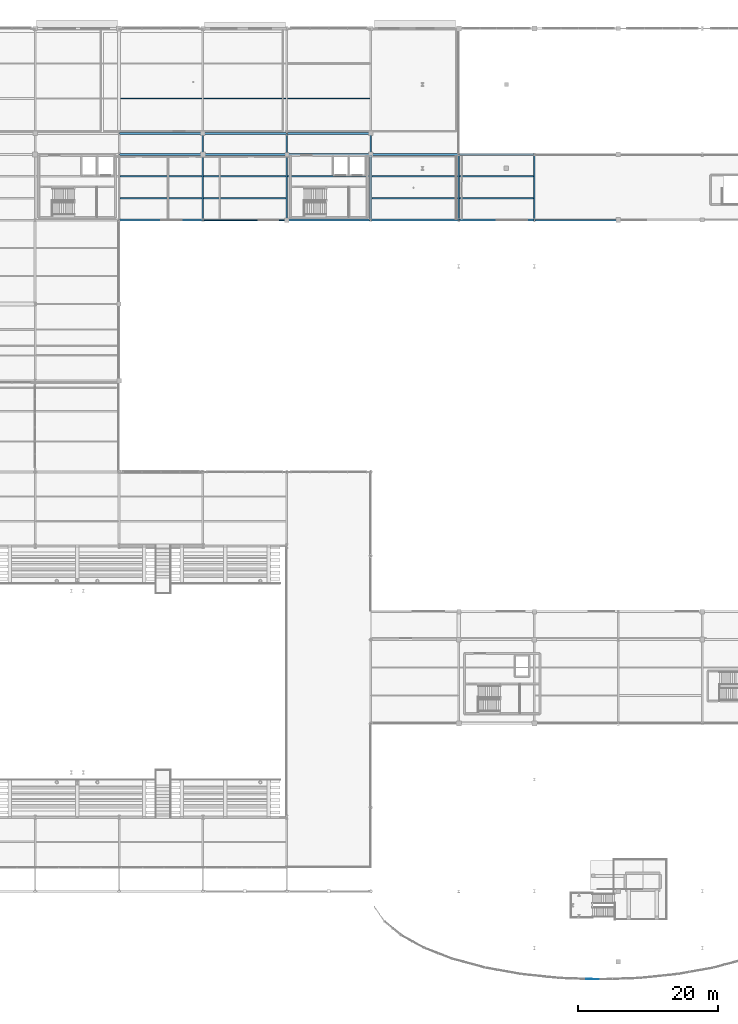
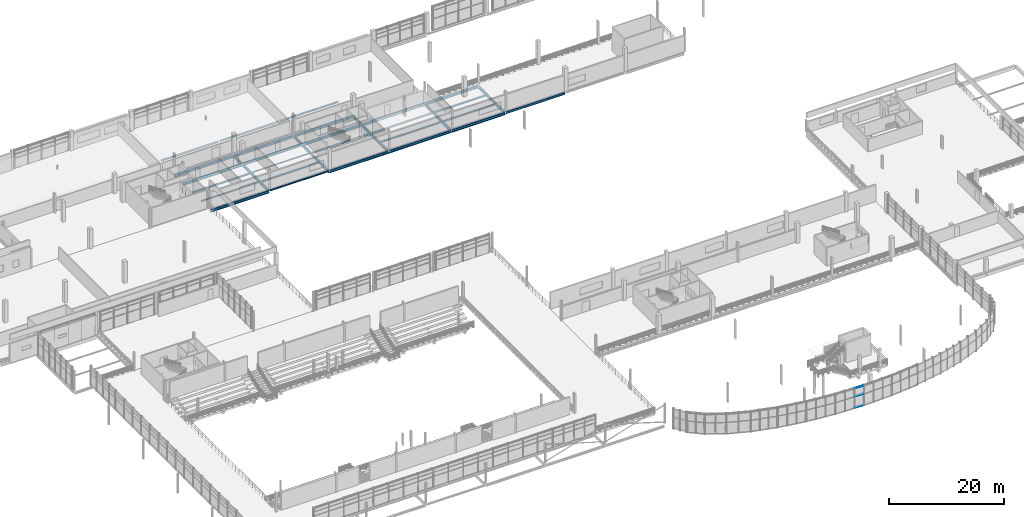
# One storey, part 42 of 89: 34 beams, 3 members, 1 element without a shape of its own.
"""IFC4 building model written with IfcOpenShell, lengths in metres."""

from ifc_helpers import new_model, si_unit, direction, frame, origin, origin_2d, place, context, subcontext, project, spatial, rectangle, i_section, extrude, material, material_profile, profile_set, type_object, element, aggregate, save


model = new_model("IFC4")

# Units and contexts
model_context = context("Model", 3, precision=1e-05, world=origin(), true_north=direction((0.0, 1.0)))
body_context = subcontext(model_context, "Body", "Model", "MODEL_VIEW")
ifc_project = project(units=[si_unit("LENGTHUNIT", "METRE"), si_unit("AREAUNIT", "SQUARE_METRE"), si_unit("VOLUMEUNIT", "CUBIC_METRE"), si_unit("PLANEANGLEUNIT", "RADIAN"), si_unit("MASSUNIT", "GRAM", prefix="KILO"), si_unit("THERMODYNAMICTEMPERATUREUNIT", "KELVIN"), si_unit("POWERUNIT", "WATT")], contexts=[model_context])

# Site, building, storey
site_placement = place(None, origin())
site = spatial("IfcSite", under=ifc_project, at=site_placement, CompositionType="ELEMENT")
building_placement = place(site_placement, origin())
building = spatial("IfcBuilding", under=site, at=building_placement, Name="Solmara Park Aquatics Centre", CompositionType="ELEMENT")
storey_placement = place(building_placement, frame((0.0, 0.0, 5.39990234375)))
storey = spatial("IfcBuildingStorey", under=building, at=storey_placement, Name="L01", CompositionType="ELEMENT", Elevation=5.39990234375)

# Curtain wall, members
ifc_material_1 = material(Name="Anodised Aluminium Curtain Wall Framing", Category="aluminium")
curtain_wall_type = type_object("IfcCurtainWallType", Name="ARC-CW-SYS04", PredefinedType="USERDEFINED", material=ifc_material_1)
curtain_wall_placement = place(storey_placement, origin())
curtain_wall = element("IfcCurtainWall", 1, at=curtain_wall_placement, inside=storey, type_object=curtain_wall_type, Name="Curtain Wall CW-044", ObjectType="CURTAIN WALL", PredefinedType="USERDEFINED")
ifc_material_2 = material(Name="Anodised Aluminium Alloy 6063-T6", Category="aluminium")
ifc_material_profile_1 = material_profile(ifc_material_2, rectangle(XDim=0.06005859375, YDim=0.1201171875, at=origin_2d()), Name="ALU TRANSOM 60x120")
ifc_profile_set_1 = profile_set([ifc_material_profile_1], Name="Anodised Aluminium Alloy 6063-T6")
member_type = type_object("IfcMemberType", Name="ARC-CWT-60x120", PredefinedType="USERDEFINED", material=ifc_profile_set_1)
member_1_placement = place(storey_placement, frame((127.413818359375, 0.063720703125, 0.0400390625), z_axis=(0.999430718823, -0.03373778701, 0.0), x_axis=(0.03373778701, 0.999430718823, 0.0)))
member_1 = element("IfcMember", 2, at=member_1_placement, type_object=member_type, Name="CW-044 transom 7", ObjectType="TRANSOM", PredefinedType="USERDEFINED", context=body_context, shape_type="SweptSolid", body=[
    extrude(rectangle(XDim=0.06005859375, YDim=0.1201171875, at=origin_2d()), origin(), (0.0, 0.0, 1.0), 1.787353515625),
])
member_2_placement = place(storey_placement, frame((127.413818359375, 0.063720703125, 2.43603515625), z_axis=(0.999430718823, -0.03373778701, 0.0), x_axis=(0.03373778701, 0.999430718823, 0.0)))
member_2 = element("IfcMember", 3, at=member_2_placement, type_object=member_type, Name="CW-044 transom 8", ObjectType="TRANSOM", PredefinedType="USERDEFINED", context=body_context, shape_type="SweptSolid", body=[
    extrude(rectangle(XDim=0.06005859375, YDim=0.1201171875, at=origin_2d()), origin(), (0.0, 0.0, 1.0), 1.787353515625),
])
member_3_placement = place(storey_placement, frame((127.413818359375, 0.063720703125, 4.16015625), z_axis=(0.999430718823, -0.03373778701, 0.0), x_axis=(0.03373778701, 0.999430718823, 0.0)))
member_3 = element("IfcMember", 4, at=member_3_placement, type_object=member_type, Name="CW-044 transom 9", ObjectType="TRANSOM", PredefinedType="USERDEFINED", context=body_context, shape_type="SweptSolid", body=[
    extrude(rectangle(XDim=0.06005859375, YDim=0.1201171875, at=origin_2d()), origin(), (0.0, 0.0, 1.0), 1.787353515625),
])
aggregate(curtain_wall, [member_1, member_2, member_3])

# Beams
ifc_material_3 = material(Name="Structural Steel S355", Category="steel")
ifc_material_profile_2 = material_profile(ifc_material_3, i_section(OverallWidth=0.300048828125, OverallDepth=0.489990234375, WebThickness=0.011962890625, FlangeThickness=0.02294921875, FilletRadius=0.027099609375, at=origin_2d()), Name="HEA 500")
ifc_profile_set_2 = profile_set([ifc_material_profile_2], Name="Structural Steel S355")
beam_type_1 = type_object("IfcBeamType", Name="STR-BM-HEA500", PredefinedType="BEAM", material=ifc_profile_set_2)
beam_1_placement = place(storey_placement, frame((72.679931640625, 118.0, -0.56494140625), z_axis=(1.0, 0.0, 0.0), x_axis=(0.0, 1.0, 0.0)))
element("IfcBeam", 5, at=beam_1_placement, inside=storey, type_object=beam_type_1, Name="Girder BM-L01-0300", PredefinedType="BEAM", context=body_context, shape_type="SweptSolid", body=[
    extrude(i_section(OverallWidth=0.300048828125, OverallDepth=0.489990234375, WebThickness=0.011962890625, FlangeThickness=0.02294921875, FilletRadius=0.027099609375, at=origin_2d()), origin(), (0.0, 0.0, 1.0), 11.840087890625),
])
ifc_material_profile_3 = material_profile(ifc_material_3, i_section(OverallWidth=0.300048828125, OverallDepth=0.5400390625, WebThickness=0.012451171875, FlangeThickness=0.02392578125, FilletRadius=0.027099609375, at=origin_2d()), Name="HEA 550")
ifc_profile_set_3 = profile_set([ifc_material_profile_3], Name="Structural Steel S355")
beam_type_2 = type_object("IfcBeamType", Name="STR-BM-HEA550", PredefinedType="BEAM", material=ifc_profile_set_3)
beam_2_placement = place(storey_placement, frame((96.679931640625, 108.60009765625, -0.58984375), z_axis=(1.0, 0.0, 0.0), x_axis=(0.0, 1.0, 0.0)))
element("IfcBeam", 6, at=beam_2_placement, inside=storey, type_object=beam_type_2, Name="Girder BM-L01-0294", PredefinedType="BEAM", context=body_context, shape_type="SweptSolid", body=[
    extrude(i_section(OverallWidth=0.300048828125, OverallDepth=0.5400390625, WebThickness=0.012451171875, FlangeThickness=0.02392578125, FilletRadius=0.027099609375, at=origin_2d()), origin(), (0.0, 0.0, 1.0), 12.440185546875),
])
ifc_material_profile_4 = material_profile(ifc_material_3, i_section(OverallWidth=0.300048828125, OverallDepth=0.590087890625, WebThickness=0.012939453125, FlangeThickness=0.02490234375, FilletRadius=0.027099609375, at=origin_2d()), Name="HEA 600")
ifc_profile_set_4 = profile_set([ifc_material_profile_4], Name="Structural Steel S355")
beam_type_3 = type_object("IfcBeamType", Name="STR-BM-HEA600", PredefinedType="BEAM", material=ifc_profile_set_4)
beam_3_placement = place(storey_placement, frame((96.60009765625, 108.679931640625, -0.614990234375), z_axis=(0.0, 1.0, 0.0), x_axis=(-1.0, 0.0, 0.0)))
element("IfcBeam", 7, at=beam_3_placement, inside=storey, type_object=beam_type_3, Name="Girder BM-L01-0336", PredefinedType="BEAM", context=body_context, shape_type="SweptSolid", body=[
    extrude(i_section(OverallWidth=0.300048828125, OverallDepth=0.590087890625, WebThickness=0.012939453125, FlangeThickness=0.02490234375, FilletRadius=0.027099609375, at=origin_2d()), origin(), (0.0, 0.0, 1.0), 9.239990234375),
])
ifc_material_profile_5 = material_profile(ifc_material_3, i_section(OverallWidth=0.300048828125, OverallDepth=0.550048828125, WebThickness=0.014892578125, FlangeThickness=0.029052734375, FilletRadius=0.027099609375, at=origin_2d()), Name="HEB 550")
ifc_profile_set_5 = profile_set([ifc_material_profile_5], Name="Structural Steel S355")
beam_type_4 = type_object("IfcBeamType", Name="STR-BM-HEB550", PredefinedType="BEAM", material=ifc_profile_set_5)
for number, where, z_axis, x_axis, name in (
    (8, (60.679931640625, 108.60009765625, -0.594970703125), (1.0, 0.0, 0.0), (0.0, 1.0, 0.0), "Girder BM-L01-0291"),
    (9, (84.679931640625, 108.60009765625, -0.594970703125), (1.0, 0.0, 0.0), (0.0, 1.0, 0.0), "Girder BM-L01-0293"),
):
    element("IfcBeam", number, at=place(storey_placement, frame(where, z_axis=z_axis, x_axis=x_axis)), inside=storey, type_object=beam_type_4, Name=name, PredefinedType="BEAM", context=body_context, shape_type="SweptSolid", body=[
        extrude(i_section(OverallWidth=0.300048828125, OverallDepth=0.550048828125, WebThickness=0.014892578125, FlangeThickness=0.029052734375, FilletRadius=0.027099609375, at=origin_2d()), origin(), (0.0, 0.0, 1.0), 11.840087890625),
    ])
beam_4_placement = place(storey_placement, frame((109.280029296875, 108.60009765625, -0.594970703125), z_axis=(1.0, 0.0, 0.0), x_axis=(0.0, 1.0, 0.0)))
element("IfcBeam", 10, at=beam_4_placement, inside=storey, type_object=beam_type_4, Name="Girder BM-L01-0295", PredefinedType="BEAM", context=body_context, shape_type="SweptSolid", body=[
    extrude(i_section(OverallWidth=0.300048828125, OverallDepth=0.550048828125, WebThickness=0.014892578125, FlangeThickness=0.029052734375, FilletRadius=0.027099609375, at=origin_2d()), origin(), (0.0, 0.0, 1.0), 10.639892578125),
])
for number, where, z_axis, x_axis, name in (
    (11, (60.679931640625, 118.0, -0.594970703125), (1.0, 0.0, 0.0), (0.0, 1.0, 0.0), "Girder BM-L01-0299"),
    (12, (84.679931640625, 118.0, -0.594970703125), (1.0, 0.0, 0.0), (0.0, 1.0, 0.0), "Girder BM-L01-0301"),
):
    element("IfcBeam", number, at=place(storey_placement, frame(where, z_axis=z_axis, x_axis=x_axis)), inside=storey, type_object=beam_type_4, Name=name, PredefinedType="BEAM", context=body_context, shape_type="SweptSolid", body=[
        extrude(i_section(OverallWidth=0.300048828125, OverallDepth=0.550048828125, WebThickness=0.014892578125, FlangeThickness=0.029052734375, FilletRadius=0.027099609375, at=origin_2d()), origin(), (0.0, 0.0, 1.0), 11.840087890625),
    ])
beam_5_placement = place(storey_placement, frame((96.679931640625, 118.0, -0.594970703125), z_axis=(1.0, 0.0, 0.0), x_axis=(0.0, 1.0, 0.0)))
element("IfcBeam", 13, at=beam_5_placement, inside=storey, type_object=beam_type_4, Name="Girder BM-L01-0302", PredefinedType="BEAM", context=body_context, shape_type="SweptSolid", body=[
    extrude(i_section(OverallWidth=0.300048828125, OverallDepth=0.550048828125, WebThickness=0.014892578125, FlangeThickness=0.029052734375, FilletRadius=0.027099609375, at=origin_2d()), origin(), (0.0, 0.0, 1.0), 12.440185546875),
])
beam_6_placement = place(storey_placement, frame((109.280029296875, 118.0, -0.594970703125), z_axis=(1.0, 0.0, 0.0), x_axis=(0.0, 1.0, 0.0)))
element("IfcBeam", 14, at=beam_6_placement, inside=storey, type_object=beam_type_4, Name="Girder BM-L01-0303", PredefinedType="BEAM", context=body_context, shape_type="SweptSolid", body=[
    extrude(i_section(OverallWidth=0.300048828125, OverallDepth=0.550048828125, WebThickness=0.014892578125, FlangeThickness=0.029052734375, FilletRadius=0.027099609375, at=origin_2d()), origin(), (0.0, 0.0, 1.0), 10.639892578125),
])
for number, where, z_axis, x_axis, name in (
    (15, (60.679931640625, 121.0, -0.594970703125), (1.0, 0.0, 0.0), (0.0, 1.0, 0.0), "Girder BM-L01-0307"),
    (16, (72.679931640625, 121.0, -0.594970703125), (1.0, 0.0, 0.0), (0.0, 1.0, 0.0), "Girder BM-L01-0308"),
    (17, (84.679931640625, 121.0, -0.594970703125), (1.0, 0.0, 0.0), (0.0, 1.0, 0.0), "Girder BM-L01-0309"),
):
    element("IfcBeam", number, at=place(storey_placement, frame(where, z_axis=z_axis, x_axis=x_axis)), inside=storey, type_object=beam_type_4, Name=name, PredefinedType="BEAM", context=body_context, shape_type="SweptSolid", body=[
        extrude(i_section(OverallWidth=0.300048828125, OverallDepth=0.550048828125, WebThickness=0.014892578125, FlangeThickness=0.029052734375, FilletRadius=0.027099609375, at=origin_2d()), origin(), (0.0, 0.0, 1.0), 11.840087890625),
    ])
ifc_material_profile_6 = material_profile(ifc_material_3, i_section(OverallWidth=0.18994140625, OverallDepth=0.449951171875, WebThickness=0.009521484375, FlangeThickness=0.0146484375, FilletRadius=0.02099609375, at=origin_2d()), Name="IPE 450")
ifc_profile_set_6 = profile_set([ifc_material_profile_6], Name="Structural Steel S355")
beam_type_5 = type_object("IfcBeamType", Name="STR-BM-IPE450", PredefinedType="BEAM", material=ifc_profile_set_6)
beam_7_placement = place(storey_placement, frame((120.080078125, 108.60009765625, -0.544921875), z_axis=(1.0, 0.0, 0.0), x_axis=(0.0, 1.0, 0.0)))
element("IfcBeam", 18, at=beam_7_placement, inside=storey, type_object=beam_type_5, Name="Girder BM-L01-0341", PredefinedType="BEAM", context=body_context, shape_type="SweptSolid", body=[
    extrude(i_section(OverallWidth=0.18994140625, OverallDepth=0.449951171875, WebThickness=0.009521484375, FlangeThickness=0.0146484375, FilletRadius=0.02099609375, at=origin_2d()), origin(), (0.0, 0.0, 1.0), 11.83984375),
])
ifc_material_profile_7 = material_profile(ifc_material_3, i_section(OverallWidth=0.219970703125, OverallDepth=0.60009765625, WebThickness=0.011962890625, FlangeThickness=0.01904296875, FilletRadius=0.02392578125, at=origin_2d()), Name="IPE 600")
ifc_profile_set_7 = profile_set([ifc_material_profile_7], Name="Structural Steel S355")
beam_type_6 = type_object("IfcBeamType", Name="STR-BM-IPE600", PredefinedType="BEAM", material=ifc_profile_set_7)
beam_8_placement = place(storey_placement, frame((72.60009765625, 108.679931640625, -0.619873046875), z_axis=(0.0, 1.0, 0.0), x_axis=(-1.0, 0.0, 0.0)))
element("IfcBeam", 19, at=beam_8_placement, inside=storey, type_object=beam_type_6, Name="Girder BM-L01-0330", PredefinedType="BEAM", context=body_context, shape_type="SweptSolid", body=[
    extrude(i_section(OverallWidth=0.219970703125, OverallDepth=0.60009765625, WebThickness=0.011962890625, FlangeThickness=0.01904296875, FilletRadius=0.02392578125, at=origin_2d()), origin(), (0.0, 0.0, 1.0), 9.239990234375),
])
beam_9_placement = place(storey_placement, frame((72.60009765625, 118.080078125, -0.619873046875), z_axis=(0.0, 1.0, 0.0), x_axis=(-1.0, 0.0, 0.0)))
element("IfcBeam", 20, at=beam_9_placement, inside=storey, type_object=beam_type_6, Name="Girder BM-L01-0331", PredefinedType="BEAM", context=body_context, shape_type="SweptSolid", body=[
    extrude(i_section(OverallWidth=0.219970703125, OverallDepth=0.60009765625, WebThickness=0.011962890625, FlangeThickness=0.01904296875, FilletRadius=0.02392578125, at=origin_2d()), origin(), (0.0, 0.0, 1.0), 2.83984375),
])
beam_10_placement = place(storey_placement, frame((84.60009765625, 108.679931640625, -0.619873046875), z_axis=(0.0, 1.0, 0.0), x_axis=(-1.0, 0.0, 0.0)))
element("IfcBeam", 21, at=beam_10_placement, inside=storey, type_object=beam_type_6, Name="Girder BM-L01-0333", PredefinedType="BEAM", context=body_context, shape_type="SweptSolid", body=[
    extrude(i_section(OverallWidth=0.219970703125, OverallDepth=0.60009765625, WebThickness=0.011962890625, FlangeThickness=0.01904296875, FilletRadius=0.02392578125, at=origin_2d()), origin(), (0.0, 0.0, 1.0), 9.239990234375),
])
for number, where, z_axis, x_axis, name in (
    (22, (84.60009765625, 118.080078125, -0.619873046875), (0.0, 1.0, 0.0), (-1.0, 0.0, 0.0), "Girder BM-L01-0334"),
    (23, (96.60009765625, 118.080078125, -0.619873046875), (0.0, 1.0, 0.0), (-1.0, 0.0, 0.0), "Girder BM-L01-0337"),
):
    element("IfcBeam", number, at=place(storey_placement, frame(where, z_axis=z_axis, x_axis=x_axis)), inside=storey, type_object=beam_type_6, Name=name, PredefinedType="BEAM", context=body_context, shape_type="SweptSolid", body=[
        extrude(i_section(OverallWidth=0.219970703125, OverallDepth=0.60009765625, WebThickness=0.011962890625, FlangeThickness=0.01904296875, FilletRadius=0.02392578125, at=origin_2d()), origin(), (0.0, 0.0, 1.0), 2.83984375),
    ])
for number, where, z_axis, x_axis, name in (
    (24, (109.199951171875, 108.679931640625, -0.619873046875), (0.0, 1.0, 0.0), (-1.0, 0.0, 0.0), "Girder BM-L01-0339"),
    (25, (120.0, 108.679931640625, -0.619873046875), (0.0, 1.0, 0.0), (-1.0, 0.0, 0.0), "Girder BM-L01-0340"),
):
    element("IfcBeam", number, at=place(storey_placement, frame(where, z_axis=z_axis, x_axis=x_axis)), inside=storey, type_object=beam_type_6, Name=name, PredefinedType="BEAM", context=body_context, shape_type="SweptSolid", body=[
        extrude(i_section(OverallWidth=0.219970703125, OverallDepth=0.60009765625, WebThickness=0.011962890625, FlangeThickness=0.01904296875, FilletRadius=0.02392578125, at=origin_2d()), origin(), (0.0, 0.0, 1.0), 9.239990234375),
    ])
ifc_material_profile_8 = material_profile(ifc_material_3, i_section(OverallWidth=0.199951171875, OverallDepth=0.18994140625, WebThickness=0.006591796875, FlangeThickness=0.010009765625, FilletRadius=0.01806640625, at=origin_2d()), Name="HEA 200")
ifc_profile_set_8 = profile_set([ifc_material_profile_8], Name="Structural Steel S355")
beam_type_7 = type_object("IfcBeamType", Name="STR-JST-HEA200", PredefinedType="JOIST", material=ifc_profile_set_8)
beam_11_placement = place(storey_placement, frame((72.7099609375, 114.86669921875, -0.414794921875), z_axis=(1.0, 0.0, 0.0), x_axis=(0.0, 1.0, 0.0)))
element("IfcBeam", 26, at=beam_11_placement, inside=storey, type_object=beam_type_7, Name="Floor Joist JST-L01-0199", PredefinedType="JOIST", context=body_context, shape_type="SweptSolid", body=[
    extrude(i_section(OverallWidth=0.199951171875, OverallDepth=0.18994140625, WebThickness=0.006591796875, FlangeThickness=0.010009765625, FilletRadius=0.01806640625, at=origin_2d()), origin(), (0.0, 0.0, 1.0), 11.780029296875),
])
ifc_material_profile_9 = material_profile(ifc_material_3, i_section(OverallWidth=0.219970703125, OverallDepth=0.2099609375, WebThickness=0.007080078125, FlangeThickness=0.010986328125, FilletRadius=0.01806640625, at=origin_2d()), Name="HEA 220")
ifc_profile_set_9 = profile_set([ifc_material_profile_9], Name="Structural Steel S355")
beam_type_8 = type_object("IfcBeamType", Name="STR-JST-HEA220", PredefinedType="JOIST", material=ifc_profile_set_9)
beam_12_placement = place(storey_placement, frame((60.7099609375, 111.7333984375, -0.4248046875), z_axis=(1.0, 0.0, 0.0), x_axis=(0.0, 1.0, 0.0)))
element("IfcBeam", 27, at=beam_12_placement, inside=storey, type_object=beam_type_8, Name="Floor Joist JST-L01-0194", PredefinedType="JOIST", context=body_context, shape_type="SweptSolid", body=[
    extrude(i_section(OverallWidth=0.219970703125, OverallDepth=0.2099609375, WebThickness=0.007080078125, FlangeThickness=0.010986328125, FilletRadius=0.01806640625, at=origin_2d()), origin(), (0.0, 0.0, 1.0), 11.780029296875),
])
ifc_material_profile_10 = material_profile(ifc_material_3, i_section(OverallWidth=0.169921875, OverallDepth=0.360107421875, WebThickness=0.008056640625, FlangeThickness=0.0126953125, FilletRadius=0.01806640625, at=origin_2d()), Name="IPE 360")
ifc_profile_set_10 = profile_set([ifc_material_profile_10], Name="Structural Steel S355")
beam_type_9 = type_object("IfcBeamType", Name="STR-JST-IPE360", PredefinedType="JOIST", material=ifc_profile_set_10)
beam_13_placement = place(storey_placement, frame((60.7099609375, 114.86669921875, -0.5), z_axis=(1.0, 0.0, 0.0), x_axis=(0.0, 1.0, 0.0)))
element("IfcBeam", 28, at=beam_13_placement, inside=storey, type_object=beam_type_9, Name="Floor Joist JST-L01-0195", PredefinedType="JOIST", context=body_context, shape_type="SweptSolid", body=[
    extrude(i_section(OverallWidth=0.169921875, OverallDepth=0.360107421875, WebThickness=0.008056640625, FlangeThickness=0.0126953125, FilletRadius=0.01806640625, at=origin_2d()), origin(), (0.0, 0.0, 1.0), 11.780029296875),
])
beam_14_placement = place(storey_placement, frame((60.824951171875, 126.0, -0.5), z_axis=(1.0, 0.0, 0.0), x_axis=(0.0, 1.0, 0.0)))
element("IfcBeam", 29, at=beam_14_placement, inside=storey, type_object=beam_type_9, Name="Floor Joist JST-L01-0196", PredefinedType="JOIST", context=body_context, shape_type="SweptSolid", body=[
    extrude(i_section(OverallWidth=0.169921875, OverallDepth=0.360107421875, WebThickness=0.008056640625, FlangeThickness=0.0126953125, FilletRadius=0.01806640625, at=origin_2d()), origin(), (0.0, 0.0, 1.0), 11.6650390625),
])
for number, where, z_axis, x_axis, name in (
    (30, (72.7099609375, 111.7333984375, -0.5), (1.0, 0.0, 0.0), (0.0, 1.0, 0.0), "Floor Joist JST-L01-0198"),
    (31, (72.7099609375, 126.0, -0.5), (1.0, 0.0, 0.0), (0.0, 1.0, 0.0), "Floor Joist JST-L01-0200"),
):
    element("IfcBeam", number, at=place(storey_placement, frame(where, z_axis=z_axis, x_axis=x_axis)), inside=storey, type_object=beam_type_9, Name=name, PredefinedType="JOIST", context=body_context, shape_type="SweptSolid", body=[
        extrude(i_section(OverallWidth=0.169921875, OverallDepth=0.360107421875, WebThickness=0.008056640625, FlangeThickness=0.0126953125, FilletRadius=0.01806640625, at=origin_2d()), origin(), (0.0, 0.0, 1.0), 11.780029296875),
    ])
beam_15_placement = place(storey_placement, frame((84.7099609375, 114.86669921875, -0.5), z_axis=(1.0, 0.0, 0.0), x_axis=(0.0, 1.0, 0.0)))
element("IfcBeam", 32, at=beam_15_placement, inside=storey, type_object=beam_type_9, Name="Floor Joist JST-L01-0202", PredefinedType="JOIST", context=body_context, shape_type="SweptSolid", body=[
    extrude(i_section(OverallWidth=0.169921875, OverallDepth=0.360107421875, WebThickness=0.008056640625, FlangeThickness=0.0126953125, FilletRadius=0.01806640625, at=origin_2d()), origin(), (0.0, 0.0, 1.0), 11.739990234375),
])
beam_16_placement = place(storey_placement, frame((84.7099609375, 126.0, -0.5), z_axis=(1.0, 0.0, 0.0), x_axis=(0.0, 1.0, 0.0)))
element("IfcBeam", 33, at=beam_16_placement, inside=storey, type_object=beam_type_9, Name="Floor Joist JST-L01-0203", PredefinedType="JOIST", context=body_context, shape_type="SweptSolid", body=[
    extrude(i_section(OverallWidth=0.169921875, OverallDepth=0.360107421875, WebThickness=0.008056640625, FlangeThickness=0.0126953125, FilletRadius=0.01806640625, at=origin_2d()), origin(), (0.0, 0.0, 1.0), 11.780029296875),
])
for number, where, z_axis, x_axis, name in (
    (34, (96.75, 111.7333984375, -0.5), (1.0, 0.0, 0.0), (0.0, 1.0, 0.0), "Floor Joist JST-L01-0205"),
    (35, (96.75, 114.86669921875, -0.5), (1.0, 0.0, 0.0), (0.0, 1.0, 0.0), "Floor Joist JST-L01-0206"),
):
    element("IfcBeam", number, at=place(storey_placement, frame(where, z_axis=z_axis, x_axis=x_axis)), inside=storey, type_object=beam_type_9, Name=name, PredefinedType="JOIST", context=body_context, shape_type="SweptSolid", body=[
        extrude(i_section(OverallWidth=0.169921875, OverallDepth=0.360107421875, WebThickness=0.008056640625, FlangeThickness=0.0126953125, FilletRadius=0.01806640625, at=origin_2d()), origin(), (0.0, 0.0, 1.0), 12.340087890625),
    ])
for number, where, z_axis, x_axis, name in (
    (36, (109.31005859375, 111.7333984375, -0.5), (1.0, 0.0, 0.0), (0.0, 1.0, 0.0), "Floor Joist JST-L01-0207"),
    (37, (109.31005859375, 114.86669921875, -0.5), (1.0, 0.0, 0.0), (0.0, 1.0, 0.0), "Floor Joist JST-L01-0208"),
):
    element("IfcBeam", number, at=place(storey_placement, frame(where, z_axis=z_axis, x_axis=x_axis)), inside=storey, type_object=beam_type_9, Name=name, PredefinedType="JOIST", context=body_context, shape_type="SweptSolid", body=[
        extrude(i_section(OverallWidth=0.169921875, OverallDepth=0.360107421875, WebThickness=0.008056640625, FlangeThickness=0.0126953125, FilletRadius=0.01806640625, at=origin_2d()), origin(), (0.0, 0.0, 1.0), 10.579833984375),
    ])
ifc_material_profile_11 = material_profile(ifc_material_3, i_section(OverallWidth=0.1201171875, OverallDepth=0.239990234375, WebThickness=0.006103515625, FlangeThickness=0.009765625, FilletRadius=0.014892578125, at=origin_2d()), Name="IPE 240")
ifc_profile_set_11 = profile_set([ifc_material_profile_11], Name="Structural Steel S355")
beam_type_10 = type_object("IfcBeamType", Name="STR-SPD-IPE240", PredefinedType="SPANDREL", material=ifc_profile_set_11)
beam_17_placement = place(storey_placement, frame((72.679931640625, 108.60009765625, -0.43994140625), z_axis=(1.0, 0.0, 0.0), x_axis=(0.0, 1.0, 0.0)))
element("IfcBeam", 38, at=beam_17_placement, inside=storey, type_object=beam_type_10, Name="Girder BM-L01-0292", PredefinedType="SPANDREL", context=body_context, shape_type="SweptSolid", body=[
    extrude(i_section(OverallWidth=0.1201171875, OverallDepth=0.239990234375, WebThickness=0.006103515625, FlangeThickness=0.009765625, FilletRadius=0.014892578125, at=origin_2d()), origin(), (0.0, 0.0, 1.0), 11.840087890625),
])

save(model, "model.ifc")
